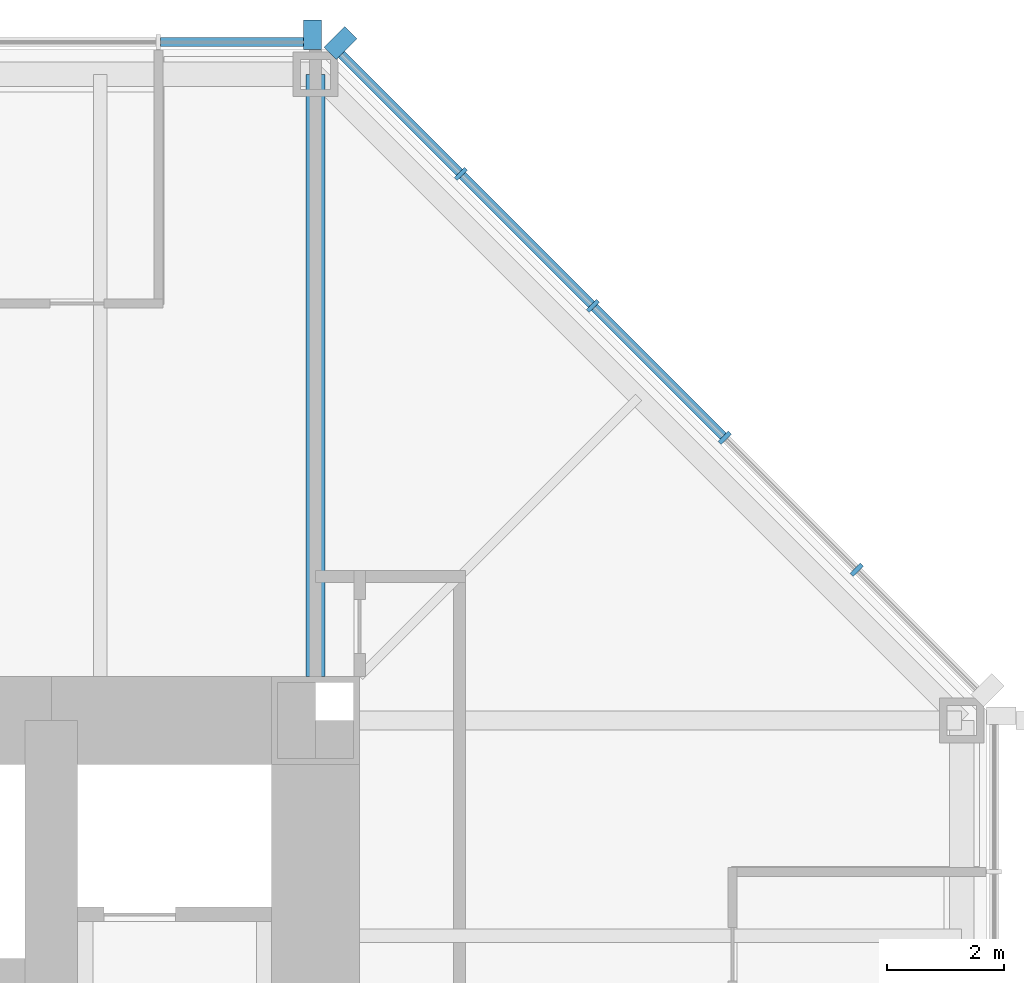
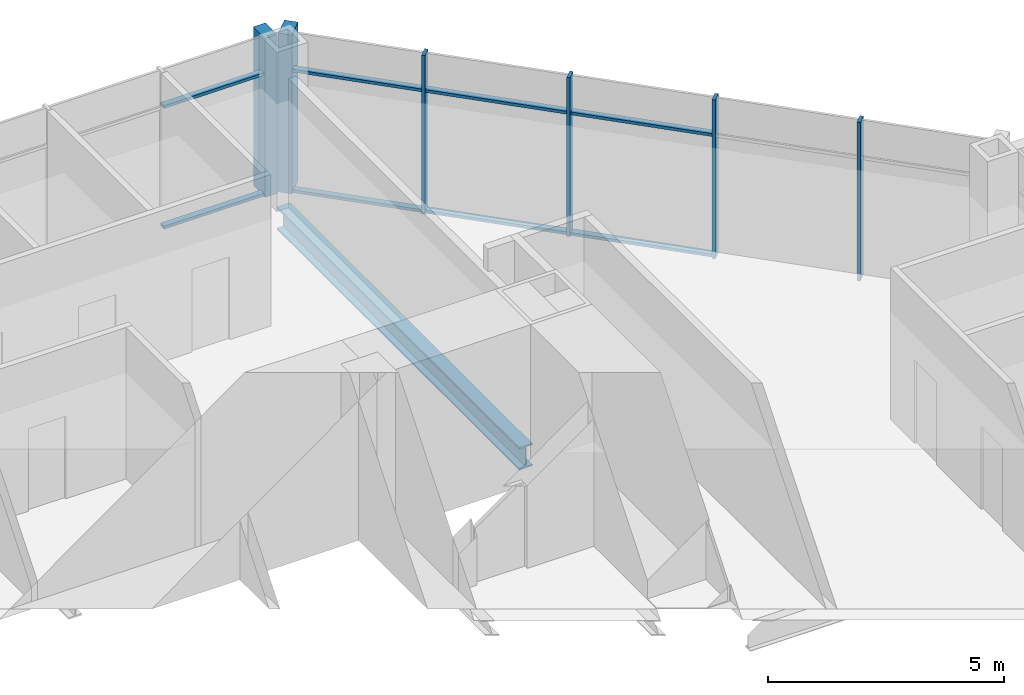
# One storey, part 6 of 14: 14 members, 1 beam, 2 elements without a shape of their own.
"""IFC4 building model written with IfcOpenShell, lengths in metres."""

from ifc_helpers import new_model, si_unit, direction, frame, origin, origin_2d, place, context, subcontext, project, spatial, rectangle, i_section, extrude, material, material_profile, profile_set, type_object, element, aggregate, save


model = new_model("IFC4")

# Units and contexts
model_context = context("Model", 3, precision=1e-05, world=origin(), true_north=direction((0.0, 1.0)))
body_context = subcontext(model_context, "Body", "Model", "MODEL_VIEW")
ifc_project = project(units=[si_unit("LENGTHUNIT", "METRE"), si_unit("AREAUNIT", "SQUARE_METRE"), si_unit("VOLUMEUNIT", "CUBIC_METRE"), si_unit("PLANEANGLEUNIT", "RADIAN"), si_unit("MASSUNIT", "GRAM", prefix="KILO")], contexts=[model_context])

# Site, building, storey
site_placement = place(None, origin())
site = spatial("IfcSite", under=ifc_project, at=site_placement, CompositionType="ELEMENT")
building_placement = place(site_placement, origin())
building = spatial("IfcBuilding", under=site, at=building_placement, Name="Trevanion Tower", CompositionType="ELEMENT")
storey_placement = place(building_placement, frame((0.0, 0.0, 100.800048828125)))
storey = spatial("IfcBuildingStorey", under=building, at=storey_placement, Name="L23", CompositionType="ELEMENT", Elevation=100.800048828125)

# Curtain wall, members
ifc_material_1 = material(Name="Aluminium and glass", Category="aluminium")
curtain_wall_type = type_object("IfcCurtainWallType", Name="CW2 curtain wall", PredefinedType="USERDEFINED", material=ifc_material_1)
curtain_wall_1_placement = place(storey_placement, origin())
curtain_wall_1 = element("IfcCurtainWall", 1, at=curtain_wall_1_placement, inside=storey, type_object=curtain_wall_type, Name="CW2 L23 1", ObjectType="UNITISED CURTAIN WALL", PredefinedType="USERDEFINED")
ifc_material_2 = material(Name="Aluminium extrusion, anodised bronze", Category="aluminium")
ifc_material_profile_1 = material_profile(ifc_material_2, rectangle(XDim=0.074951171875, YDim=0.25, at=origin_2d()), Name="CW2 mullion")
ifc_profile_set_1 = profile_set([ifc_material_profile_1], Name="Aluminium extrusion, anodised bronze")
member_type_1 = type_object("IfcMemberType", Name="CW2 mullion", PredefinedType="MULLION", material=ifc_profile_set_1)
member_1_placement = place(storey_placement, frame((20.2119140625, 13.56591796875, -0.18994140625), z_axis=(0.0, 0.0, 1.0), x_axis=(-0.707106781187, 0.707106781187, 0.0)))
member_1 = element("IfcMember", 2, at=member_1_placement, type_object=member_type_1, Name="CW2 mullion 2", PredefinedType="MULLION", context=body_context, shape_type="SweptSolid", body=[
    extrude(rectangle(XDim=0.074951171875, YDim=0.25, at=origin_2d()), origin(), (0.0, 0.0, 1.0), 4.099853515625),
])
member_2_placement = place(storey_placement, frame((17.966064453125, 15.811767578125, -0.18994140625), z_axis=(0.0, 0.0, 1.0), x_axis=(-0.707106781187, 0.707106781187, 0.0)))
member_2 = element("IfcMember", 3, at=member_2_placement, type_object=member_type_1, Name="CW2 mullion 3", PredefinedType="MULLION", context=body_context, shape_type="SweptSolid", body=[
    extrude(rectangle(XDim=0.074951171875, YDim=0.25, at=origin_2d()), origin(), (0.0, 0.0, 1.0), 4.099853515625),
])
member_3_placement = place(storey_placement, frame((15.719970703125, 18.057861328125, -0.18994140625), z_axis=(0.0, 0.0, 1.0), x_axis=(-0.707106781187, 0.707106781187, 0.0)))
member_3 = element("IfcMember", 4, at=member_3_placement, type_object=member_type_1, Name="CW2 mullion 4", PredefinedType="MULLION", context=body_context, shape_type="SweptSolid", body=[
    extrude(rectangle(XDim=0.074951171875, YDim=0.25, at=origin_2d()), origin(), (0.0, 0.0, 1.0), 4.099853515625),
])
member_4_placement = place(storey_placement, frame((13.473876953125, 20.303955078125, -0.18994140625), z_axis=(0.0, 0.0, 1.0), x_axis=(-0.707106781187, 0.707106781187, 0.0)))
member_4 = element("IfcMember", 5, at=member_4_placement, type_object=member_type_1, Name="CW2 mullion 5", PredefinedType="MULLION", context=body_context, shape_type="SweptSolid", body=[
    extrude(rectangle(XDim=0.074951171875, YDim=0.25, at=origin_2d()), origin(), (0.0, 0.0, 1.0), 4.099853515625),
])
ifc_material_3 = material(Name="Aluminium extrusion, anodised bronze", Category="aluminium")
ifc_material_profile_2 = material_profile(ifc_material_3, rectangle(XDim=0.300048828125, YDim=0.5, at=origin_2d()), Name="CW2 pier mullion")
ifc_profile_set_2 = profile_set([ifc_material_profile_2], Name="Aluminium extrusion, anodised bronze")
member_type_2 = type_object("IfcMemberType", Name="CW2 pier mullion", PredefinedType="MULLION", material=ifc_profile_set_2)
member_5_placement = place(storey_placement, frame((11.42236328125, 22.5322265625, -0.18994140625), z_axis=(0.0, 0.0, 1.0), x_axis=(-0.707106781187, 0.707106781187, 0.0)))
member_5 = element("IfcMember", 6, at=member_5_placement, type_object=member_type_2, Name="CW2 pier mullion 6", PredefinedType="MULLION", context=body_context, shape_type="SweptSolid", body=[
    extrude(rectangle(XDim=0.300048828125, YDim=0.5, at=origin_2d()), origin(), (0.0, 0.0, 1.0), 4.099853515625),
])

# Curtain wall, member
curtain_wall_2_placement = place(storey_placement, origin())
curtain_wall_2 = element("IfcCurtainWall", 7, at=curtain_wall_2_placement, inside=storey, type_object=curtain_wall_type, Name="CW2 L23 2", ObjectType="UNITISED CURTAIN WALL", PredefinedType="USERDEFINED")
member_6_placement = place(storey_placement, frame((10.94775390625, 22.675048828125, -0.18994140625), z_axis=(0.0, 0.0, 1.0), x_axis=(-1.0, 0.0, 0.0)))
member_6 = element("IfcMember", 8, at=member_6_placement, type_object=member_type_2, Name="CW2 pier mullion 1", PredefinedType="MULLION", context=body_context, shape_type="SweptSolid", body=[
    extrude(rectangle(XDim=0.300048828125, YDim=0.5, at=origin_2d()), origin(), (0.0, 0.0, 1.0), 4.099853515625),
])

# Member
ifc_material_4 = material(Name="Aluminium extrusion, anodised bronze", Category="aluminium")
ifc_material_profile_3 = material_profile(ifc_material_4, rectangle(XDim=0.14990234375, YDim=0.074951171875, at=origin_2d()), Name="CW2 transom")
ifc_profile_set_3 = profile_set([ifc_material_profile_3], Name="Aluminium extrusion, anodised bronze")
member_type_3 = type_object("IfcMemberType", Name="CW2 transom", PredefinedType="USERDEFINED", material=ifc_profile_set_3)
member_7_placement = place(storey_placement, frame((17.939453125, 15.83837890625, -0.152587890625), z_axis=(-0.707106781187, 0.707106781187, 0.0), x_axis=(-0.707106781187, -0.707106781187, 0.0)))
member_7 = element("IfcMember", 9, at=member_7_placement, type_object=member_type_3, Name="CW2 transom 3.1", ObjectType="TRANSOM", PredefinedType="USERDEFINED", context=body_context, shape_type="SweptSolid", body=[
    extrude(rectangle(XDim=0.14990234375, YDim=0.074951171875, at=origin_2d()), origin(), (0.0, 0.0, 1.0), 3.1015625),
])

member_8_placement = place(storey_placement, frame((17.939453125, 15.83837890625, 2.9599609375), z_axis=(-0.707106781187, 0.707106781187, 0.0), x_axis=(-0.707106781187, -0.707106781187, 0.0)))
member_8 = element("IfcMember", 10, at=member_8_placement, type_object=member_type_3, Name="CW2 transom 3.2", ObjectType="TRANSOM", PredefinedType="USERDEFINED", context=body_context, shape_type="SweptSolid", body=[
    extrude(rectangle(XDim=0.14990234375, YDim=0.074951171875, at=origin_2d()), origin(), (0.0, 0.0, 1.0), 3.1015625),
])

member_9_placement = place(storey_placement, frame((15.693359375, 18.08447265625, -0.152587890625), z_axis=(-0.707106781187, 0.707106781187, 0.0), x_axis=(-0.707106781187, -0.707106781187, 0.0)))
member_9 = element("IfcMember", 11, at=member_9_placement, type_object=member_type_3, Name="CW2 transom 4.1", ObjectType="TRANSOM", PredefinedType="USERDEFINED", context=body_context, shape_type="SweptSolid", body=[
    extrude(rectangle(XDim=0.14990234375, YDim=0.074951171875, at=origin_2d()), origin(), (0.0, 0.0, 1.0), 3.10107421875),
])

member_10_placement = place(storey_placement, frame((15.693359375, 18.08447265625, 2.9599609375), z_axis=(-0.707106781187, 0.707106781187, 0.0), x_axis=(-0.707106781187, -0.707106781187, 0.0)))
member_10 = element("IfcMember", 12, at=member_10_placement, type_object=member_type_3, Name="CW2 transom 4.2", ObjectType="TRANSOM", PredefinedType="USERDEFINED", context=body_context, shape_type="SweptSolid", body=[
    extrude(rectangle(XDim=0.14990234375, YDim=0.074951171875, at=origin_2d()), origin(), (0.0, 0.0, 1.0), 3.10107421875),
])

member_11_placement = place(storey_placement, frame((13.447509765625, 20.33056640625, -0.152587890625), z_axis=(-0.707149778163, 0.707063781595, 0.0), x_axis=(-0.707063781595, -0.707149778163, 0.0)))
member_11 = element("IfcMember", 13, at=member_11_placement, type_object=member_type_3, Name="CW2 transom 5.1", ObjectType="TRANSOM", PredefinedType="USERDEFINED", context=body_context, shape_type="SweptSolid", body=[
    extrude(rectangle(XDim=0.14990234375, YDim=0.074951171875, at=origin_2d()), origin(), (0.0, 0.0, 1.0), 2.8388671875),
])

member_12_placement = place(storey_placement, frame((13.447509765625, 20.33056640625, 2.9599609375), z_axis=(-0.707149778163, 0.707063781595, 0.0), x_axis=(-0.707063781595, -0.707149778163, 0.0)))
member_12 = element("IfcMember", 14, at=member_12_placement, type_object=member_type_3, Name="CW2 transom 5.2", ObjectType="TRANSOM", PredefinedType="USERDEFINED", context=body_context, shape_type="SweptSolid", body=[
    extrude(rectangle(XDim=0.14990234375, YDim=0.074951171875, at=origin_2d()), origin(), (0.0, 0.0, 1.0), 2.8388671875),
])

aggregate(curtain_wall_1, [member_1, member_2, member_3, member_4, member_5, member_7, member_8, member_9, member_10, member_11, member_12])

member_13_placement = place(storey_placement, frame((10.7978515625, 22.550048828125, -0.152587890625), z_axis=(-1.0, 0.0, 0.0), x_axis=(0.0, -1.0, 0.0)))
member_13 = element("IfcMember", 15, at=member_13_placement, type_object=member_type_3, Name="CW2 transom 1.1", ObjectType="TRANSOM", PredefinedType="USERDEFINED", context=body_context, shape_type="SweptSolid", body=[
    extrude(rectangle(XDim=0.14990234375, YDim=0.074951171875, at=origin_2d()), origin(), (0.0, 0.0, 1.0), 2.43701171875),
])

member_14_placement = place(storey_placement, frame((10.7978515625, 22.550048828125, 2.9599609375), z_axis=(-1.0, 0.0, 0.0), x_axis=(0.0, -1.0, 0.0)))
member_14 = element("IfcMember", 16, at=member_14_placement, type_object=member_type_3, Name="CW2 transom 1.2", ObjectType="TRANSOM", PredefinedType="USERDEFINED", context=body_context, shape_type="SweptSolid", body=[
    extrude(rectangle(XDim=0.14990234375, YDim=0.074951171875, at=origin_2d()), origin(), (0.0, 0.0, 1.0), 2.43701171875),
])

aggregate(curtain_wall_2, [member_6, member_13, member_14])

# Beam
ifc_material_5 = material(Name="Steel ASTM A992 Grade 50", Category="steel")
ifc_material_profile_4 = material_profile(ifc_material_5, i_section(OverallWidth=0.320068359375, OverallDepth=0.584228515625, WebThickness=0.023193359375, FlangeThickness=0.04150390625, at=origin_2d()), Name="W21X201")
ifc_profile_set_4 = profile_set([ifc_material_profile_4], Name="Steel ASTM A992 Grade 50")
beam_type = type_object("IfcBeamType", Name="G4 W21X201", PredefinedType="BEAM", material=ifc_profile_set_4)
beam_placement = place(storey_placement, frame((11.0, 11.75, -0.482177734375), z_axis=(0.0, 1.0, 0.0), x_axis=(-1.0, 0.0, 0.0)))
element("IfcBeam", 17, at=beam_placement, inside=storey, type_object=beam_type, Name="G4 L23", PredefinedType="BEAM", context=body_context, shape_type="SweptSolid", body=[
    extrude(i_section(OverallWidth=0.320068359375, OverallDepth=0.584228515625, WebThickness=0.023193359375, FlangeThickness=0.04150390625, at=origin_2d()), origin(), (0.0, 0.0, 1.0), 10.25),
])

save(model, "model.ifc")
